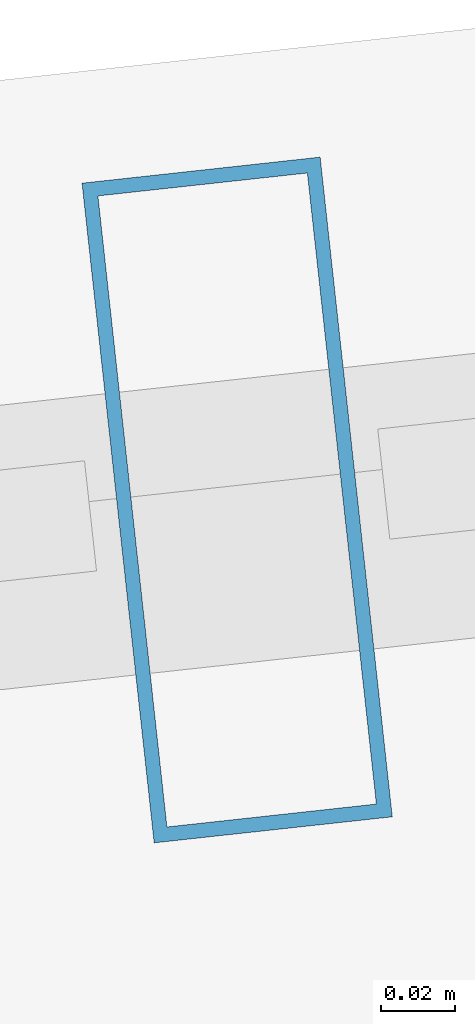
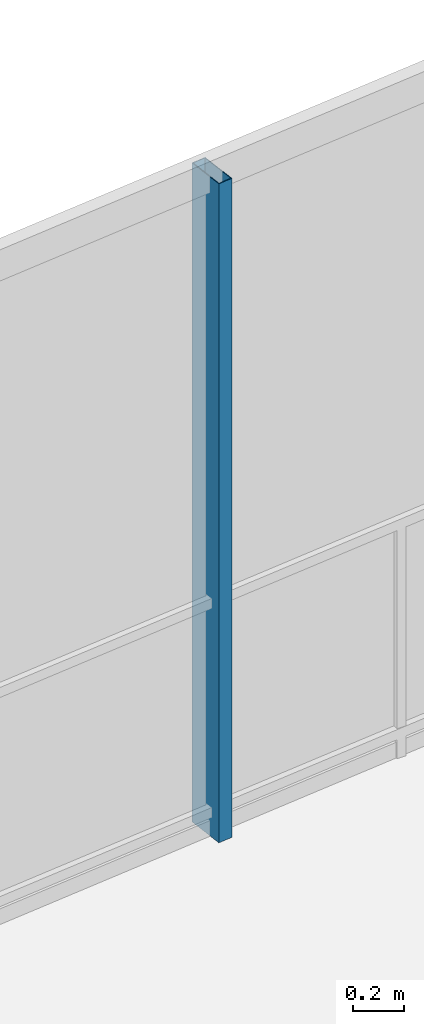
# One storey, part 20 of 30: 1 member, 1 element without a shape of its own.
"""IFC4 building model written with IfcOpenShell, lengths in metres."""

from ifc_helpers import new_model, si_unit, direction, frame, origin, origin_2d, place, context, subcontext, project, spatial, hollow_rectangle, extrude, material, layer, layer_set, material_profile, profile_set, type_object, element, aggregate, save


model = new_model("IFC4")

# Units and contexts
model_context = context("Model", 3, precision=1e-05, world=origin(), true_north=direction((0.0, 1.0)))
body_context = subcontext(model_context, "Body", "Model", "MODEL_VIEW")
ifc_project = project(units=[si_unit("LENGTHUNIT", "METRE"), si_unit("AREAUNIT", "SQUARE_METRE"), si_unit("VOLUMEUNIT", "CUBIC_METRE"), si_unit("PLANEANGLEUNIT", "RADIAN"), si_unit("MASSUNIT", "GRAM", prefix="KILO")], contexts=[model_context])

# Site, building, storey
site_placement = place(None, origin())
site = spatial("IfcSite", under=ifc_project, at=site_placement, CompositionType="ELEMENT")
building_placement = place(site_placement, origin())
building = spatial("IfcBuilding", under=site, at=building_placement, Name="Qarnah Convention Tower", CompositionType="ELEMENT")
storey_placement = place(building_placement, frame((0.0, 0.0, 90.14990234375)))
storey = spatial("IfcBuildingStorey", under=building, at=storey_placement, Name="L23", CompositionType="ELEMENT", Elevation=90.14990234375)

# Curtain wall, member
ifc_material_1 = material(Name="Tempered Low-E dark glass", Category="glass")
ifc_layer = layer(ifc_material_1, 0.169921875)
ifc_layer_set = layer_set([ifc_layer], Name="Tempered Low-E dark glass")
curtain_wall_type = type_object("IfcCurtainWallType", Name="CWS-02", PredefinedType="NOTDEFINED", material=ifc_layer_set)
curtain_wall_placement = place(storey_placement, origin())
curtain_wall = element("IfcCurtainWall", 1, at=curtain_wall_placement, inside=storey, type_object=curtain_wall_type, Name="L23 unitised curtain wall CW-L23-F1", PredefinedType="NOTDEFINED")
ifc_material_2 = material(Name="Black anodised aluminium", Category="aluminium")
ifc_material_profile = material_profile(ifc_material_2, hollow_rectangle(XDim=0.06494140625, YDim=0.179931640625, WallThickness=0.00390625, at=origin_2d()), Name="MUL-65X180")
ifc_profile_set = profile_set([ifc_material_profile], Name="Black anodised aluminium")
member_type = type_object("IfcMemberType", Name="MUL-T2", PredefinedType="MULLION", material=ifc_profile_set)
member_placement = place(storey_placement, frame((39.44580078125, 44.36376953125, 0.0), z_axis=(0.0, 0.0, 1.0), x_axis=(0.994075420686, 0.10869249279, 0.0)))
member = element("IfcMember", 2, at=member_placement, type_object=member_type, Name="CW-L23-F1 mullion 4", PredefinedType="MULLION", context=body_context, shape_type="SweptSolid", body=[
    extrude(hollow_rectangle(XDim=0.06494140625, YDim=0.179931640625, WallThickness=0.00390625, at=origin_2d()), origin(), (0.0, 0.0, 1.0), 3.170166015625),
])
aggregate(curtain_wall, [member])

save(model, "model.ifc")
